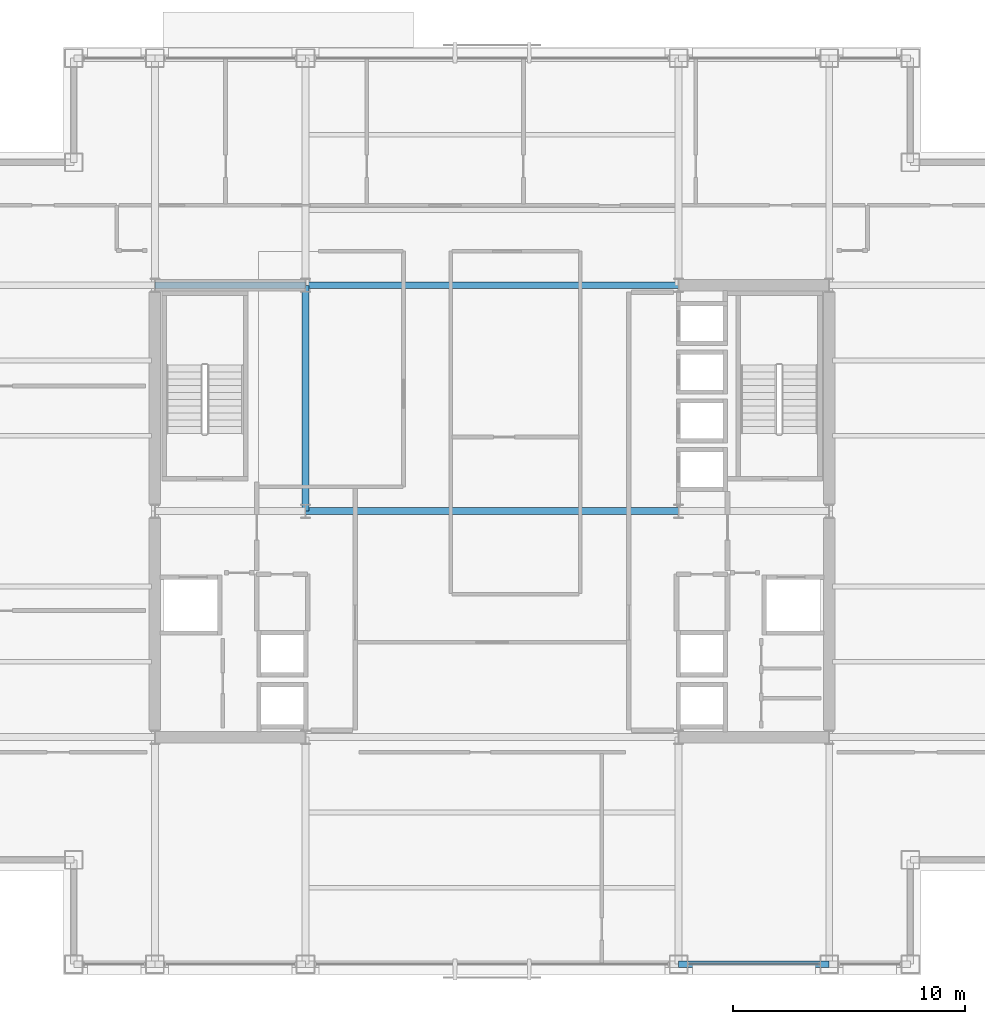
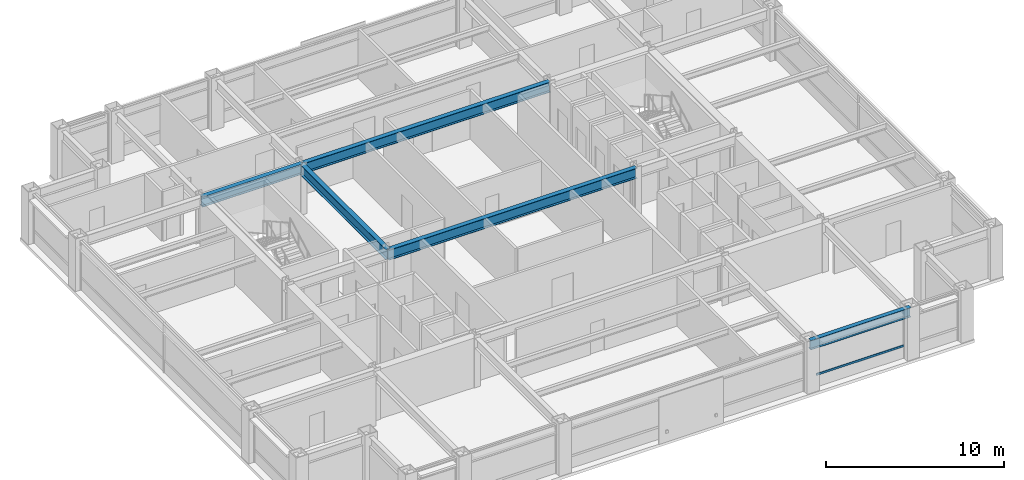
# One storey, part 10 of 28: 5 beams, 1 member, 1 element without a shape of its own.
"""IFC4 building model written with IfcOpenShell, lengths in metres."""

from ifc_helpers import new_model, si_unit, direction, frame, origin, origin_2d, place, context, subcontext, project, spatial, hollow_rectangle, i_section, extrude, material, layer, layer_set, material_profile, profile_set, type_object, element, aggregate, save


model = new_model("IFC4")

# Units and contexts
model_context = context("Model", 3, precision=1e-05, world=origin(), true_north=direction((0.0, 1.0)))
body_context = subcontext(model_context, "Body", "Model", "MODEL_VIEW")
ifc_project = project(units=[si_unit("LENGTHUNIT", "METRE"), si_unit("AREAUNIT", "SQUARE_METRE"), si_unit("VOLUMEUNIT", "CUBIC_METRE"), si_unit("PLANEANGLEUNIT", "RADIAN"), si_unit("MASSUNIT", "GRAM", prefix="KILO")], contexts=[model_context])

# Site, building, storey
site_placement = place(None, origin())
site = spatial("IfcSite", under=ifc_project, at=site_placement, CompositionType="ELEMENT")
building_placement = place(site_placement, origin())
building = spatial("IfcBuilding", under=site, at=building_placement, Name="Brelmoor Portico Tower", CompositionType="ELEMENT")
storey_placement = place(building_placement, frame((0.0, 0.0, 142.199951171875)))
storey = spatial("IfcBuildingStorey", under=building, at=storey_placement, Name="L37", CompositionType="ELEMENT", Elevation=142.199951171875)

# Beams
ifc_material_1 = material(Name="Steel Q355B", Category="steel")
ifc_material_profile_1 = material_profile(ifc_material_1, i_section(OverallWidth=0.300048828125, OverallDepth=0.699951171875, WebThickness=0.012939453125, FlangeThickness=0.02392578125, at=origin_2d()), Name="HN 700x300x13x24")
ifc_profile_set_1 = profile_set([ifc_material_profile_1], Name="Steel Q355B")
beam_type_1 = type_object("IfcBeamType", Name="BM-PG-700", PredefinedType="BEAM", material=ifc_profile_set_1)
beam_1_placement = place(storey_placement, frame((-8.050048828125, 0.0, 3.050048828125), z_axis=(0.0, 1.0, 0.0), x_axis=(-1.0, 0.0, 0.0)))
element("IfcBeam", 1, at=beam_1_placement, inside=storey, type_object=beam_type_1, Name="L37 Primary Floor Girder PG-06", PredefinedType="BEAM", context=body_context, shape_type="SweptSolid", body=[
    extrude(i_section(OverallWidth=0.300048828125, OverallDepth=0.699951171875, WebThickness=0.012939453125, FlangeThickness=0.02392578125, at=origin_2d()), origin(), (0.0, 0.0, 1.0), 9.75),
])
beam_2_placement = place(storey_placement, frame((-8.050048828125, 0.0, 3.050048828125), z_axis=(1.0, 0.0, 0.0), x_axis=(0.0, 1.0, 0.0)))
element("IfcBeam", 2, at=beam_2_placement, inside=storey, type_object=beam_type_1, Name="L37 Primary Floor Girder PG-20", PredefinedType="BEAM", context=body_context, shape_type="SweptSolid", body=[
    extrude(i_section(OverallWidth=0.300048828125, OverallDepth=0.699951171875, WebThickness=0.012939453125, FlangeThickness=0.02392578125, at=origin_2d()), origin(), (0.0, 0.0, 1.0), 16.10009765625),
])
beam_3_placement = place(storey_placement, frame((-14.550048828125, 9.75, 3.050048828125), z_axis=(1.0, 0.0, 0.0), x_axis=(0.0, 1.0, 0.0)))
element("IfcBeam", 3, at=beam_3_placement, inside=storey, type_object=beam_type_1, Name="L37 Primary Floor Girder PG-23", PredefinedType="BEAM", context=body_context, shape_type="SweptSolid", body=[
    extrude(i_section(OverallWidth=0.300048828125, OverallDepth=0.699951171875, WebThickness=0.012939453125, FlangeThickness=0.02392578125, at=origin_2d()), origin(), (0.0, 0.0, 1.0), 6.5),
])
beam_4_placement = place(storey_placement, frame((-8.050048828125, 9.75, 3.050048828125), z_axis=(1.0, 0.0, 0.0), x_axis=(0.0, 1.0, 0.0)))
element("IfcBeam", 4, at=beam_4_placement, inside=storey, type_object=beam_type_1, Name="L37 Primary Floor Girder PG-24", PredefinedType="BEAM", context=body_context, shape_type="SweptSolid", body=[
    extrude(i_section(OverallWidth=0.300048828125, OverallDepth=0.699951171875, WebThickness=0.012939453125, FlangeThickness=0.02392578125, at=origin_2d()), origin(), (0.0, 0.0, 1.0), 16.10009765625),
])
ifc_material_profile_2 = material_profile(ifc_material_1, i_section(OverallWidth=0.280029296875, OverallDepth=0.64990234375, WebThickness=0.012939453125, FlangeThickness=0.02197265625, at=origin_2d()), Name="HN 650x280x13x22")
ifc_profile_set_2 = profile_set([ifc_material_profile_2], Name="Steel Q355B")
beam_type_2 = type_object("IfcBeamType", Name="BM-SP-650", PredefinedType="SPANDREL", material=ifc_profile_set_2)
beam_5_placement = place(storey_placement, frame((8.050048828125, -19.550048828125, 3.074951171875), z_axis=(1.0, 0.0, 0.0), x_axis=(0.0, 1.0, 0.0)))
element("IfcBeam", 5, at=beam_5_placement, inside=storey, type_object=beam_type_2, Name="L37 Perimeter Spandrel Beam SP-04", PredefinedType="SPANDREL", context=body_context, shape_type="SweptSolid", body=[
    extrude(i_section(OverallWidth=0.280029296875, OverallDepth=0.64990234375, WebThickness=0.012939453125, FlangeThickness=0.02197265625, at=origin_2d()), origin(), (0.0, 0.0, 1.0), 6.5),
])

# Curtain wall, member
ifc_material_2 = material(Name="Anodised Aluminium Alloy 6063-T6", Category="aluminium")
ifc_layer = layer(ifc_material_2, 0.179931640625)
ifc_layer_set = layer_set([ifc_layer], Name="Anodised Aluminium Alloy 6063-T6")
curtain_wall_type = type_object("IfcCurtainWallType", Name="CW-TOWER-Z2", PredefinedType="NOTDEFINED", material=ifc_layer_set)
curtain_wall_placement = place(storey_placement, origin())
curtain_wall = element("IfcCurtainWall", 6, at=curtain_wall_placement, inside=storey, type_object=curtain_wall_type, Name="L37 Curtain Wall CW-L37-01-4", PredefinedType="NOTDEFINED")
ifc_material_profile_3 = material_profile(ifc_material_2, hollow_rectangle(XDim=0.06494140625, YDim=0.139892578125, WallThickness=0.00390625, at=origin_2d()), Name="ALU TRANSOM 65x140")
ifc_profile_set_3 = profile_set([ifc_material_profile_3], Name="Anodised Aluminium Alloy 6063-T6")
member_type = type_object("IfcMemberType", Name="MB-CW-TRAN-140", PredefinedType="USERDEFINED", material=ifc_profile_set_3)
member_placement = place(storey_placement, frame((8.4599609375, -19.550048828125, 0.85009765625), z_axis=(1.0, 0.0, 0.0), x_axis=(0.0, 1.0, 0.0)))
member = element("IfcMember", 7, at=member_placement, type_object=member_type, Name="CW-L37-01-4 Transom 1-00", ObjectType="TRANSOM", PredefinedType="USERDEFINED", context=body_context, shape_type="SweptSolid", body=[
    extrude(hollow_rectangle(XDim=0.06494140625, YDim=0.139892578125, WallThickness=0.00390625, at=origin_2d()), origin(), (0.0, 0.0, 1.0), 5.679931640625),
])
aggregate(curtain_wall, [member])

save(model, "model.ifc")
